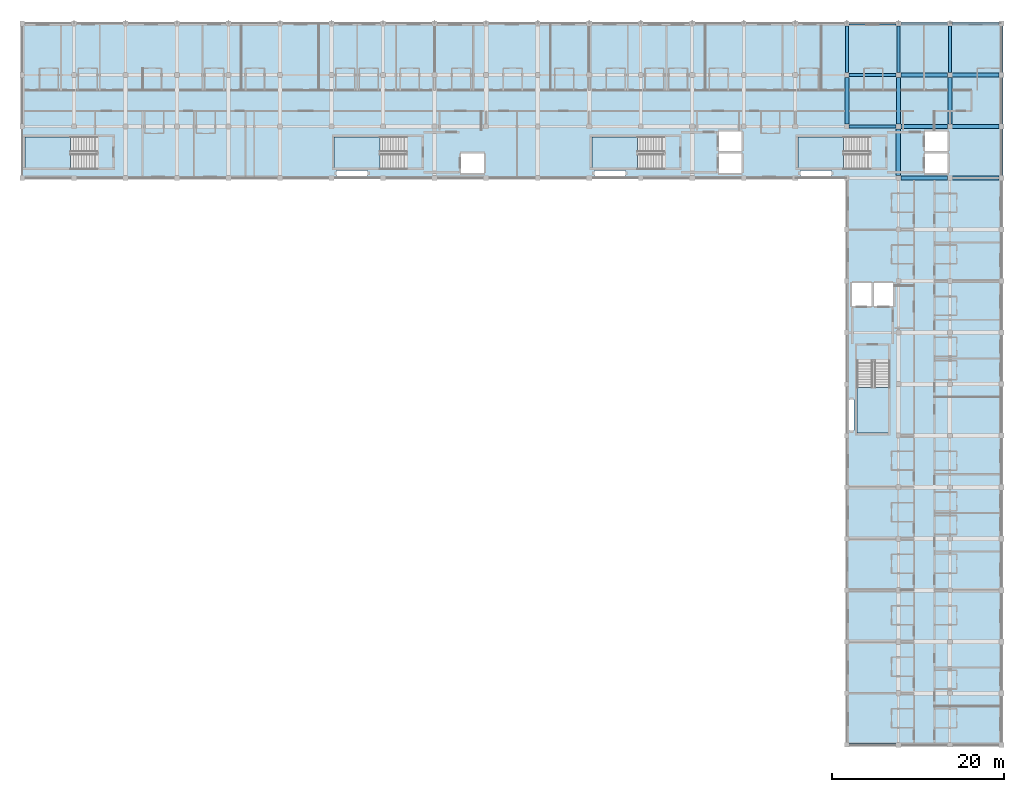
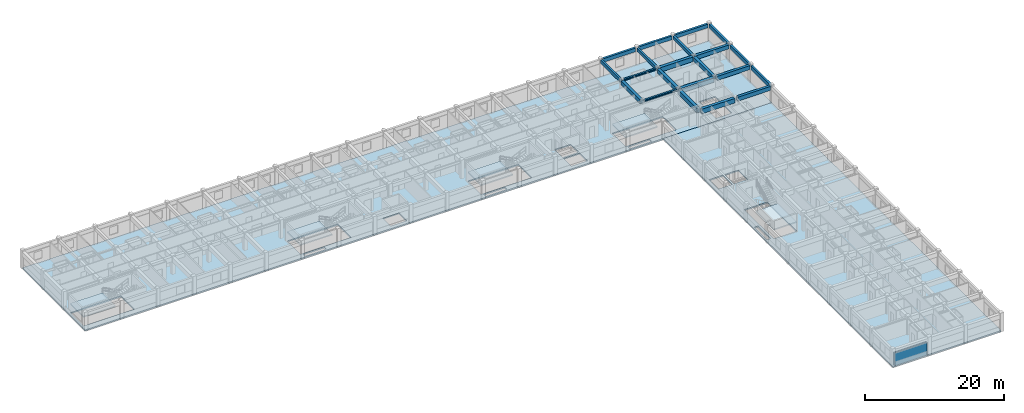
# One storey, part 3 of 22: 21 beams, 7 slabs, 1 wall, 5 elements without a shape of their own.
"""IFC4 building model written with IfcOpenShell, lengths in metres."""

from ifc_helpers import new_model, si_unit, direction, frame, frame_2d, origin, origin_2d, place, context, subcontext, project, spatial, polyline, rectangle, i_section, outline, extrude, material, layer, layer_set, material_profile, profile_set, type_object, element, aggregate, save


model = new_model("IFC4")

# Units and contexts
model_context = context("Model", 3, precision=1e-05, world=origin(), true_north=direction((0.0, 1.0)))
body_context = subcontext(model_context, "Body", "Model", "MODEL_VIEW")
ifc_project = project(units=[si_unit("LENGTHUNIT", "METRE"), si_unit("AREAUNIT", "SQUARE_METRE"), si_unit("VOLUMEUNIT", "CUBIC_METRE"), si_unit("PLANEANGLEUNIT", "RADIAN"), si_unit("MASSUNIT", "GRAM", prefix="KILO"), si_unit("THERMODYNAMICTEMPERATUREUNIT", "KELVIN"), si_unit("POWERUNIT", "WATT")], contexts=[model_context])

# Site, building, storey
site_placement = place(None, origin())
site = spatial("IfcSite", under=ifc_project, at=site_placement, CompositionType="ELEMENT")
building_placement = place(site_placement, origin())
building = spatial("IfcBuilding", under=site, at=building_placement, Name="Phaisarnlok Congress Hotel", CompositionType="ELEMENT")
storey_placement = place(building_placement, frame((0.0, 0.0, 28.199951171875)))
storey = spatial("IfcBuildingStorey", under=building, at=storey_placement, Name="L06", CompositionType="ELEMENT", Elevation=28.199951171875)

# Beams
ifc_material_1 = material(Name="Concrete C40/50", Category="concrete")
ifc_material_profile_1 = material_profile(ifc_material_1, rectangle(XDim=0.35009765625, YDim=0.550048828125, at=origin_2d()), Name="RC 350x550")
ifc_profile_set_1 = profile_set([ifc_material_profile_1], Name="Concrete C40/50")
beam_type_1 = type_object("IfcBeamType", Name="BM-RC-350x550", PredefinedType="BEAM", material=ifc_profile_set_1)
beam_1_placement = place(storey_placement, frame((162.0, 120.27001953125, 2.804931640625), z_axis=(0.0, 1.0, 0.0), x_axis=(-1.0, 0.0, 0.0)))
element("IfcBeam", 1, at=beam_1_placement, inside=storey, type_object=beam_type_1, Name="Beam B-01", PredefinedType="BEAM", context=body_context, shape_type="SweptSolid", body=[
    extrude(rectangle(XDim=0.35009765625, YDim=0.550048828125, at=origin_2d()), origin(), (0.0, 0.0, 1.0), 5.4599609375),
])
beam_2_placement = place(storey_placement, frame((168.0, 120.294921875, 2.804931640625), z_axis=(0.0, 1.0, 0.0), x_axis=(-1.0, 0.0, 0.0)))
element("IfcBeam", 2, at=beam_2_placement, inside=storey, type_object=beam_type_1, Name="Beam B-01", PredefinedType="BEAM", context=body_context, shape_type="SweptSolid", body=[
    extrude(rectangle(XDim=0.35009765625, YDim=0.550048828125, at=origin_2d()), origin(), (0.0, 0.0, 1.0), 5.41015625),
])
beam_3_placement = place(storey_placement, frame((174.0, 120.27001953125, 2.804931640625), z_axis=(0.0, 1.0, 0.0), x_axis=(-1.0, 0.0, 0.0)))
element("IfcBeam", 3, at=beam_3_placement, inside=storey, type_object=beam_type_1, Name="Beam B-01", PredefinedType="BEAM", context=body_context, shape_type="SweptSolid", body=[
    extrude(rectangle(XDim=0.35009765625, YDim=0.550048828125, at=origin_2d()), origin(), (0.0, 0.0, 1.0), 5.4599609375),
])
ifc_material_profile_2 = material_profile(ifc_material_1, rectangle(XDim=0.449951171875, YDim=0.699951171875, at=origin_2d()), Name="RC 450x700")
ifc_profile_set_2 = profile_set([ifc_material_profile_2], Name="Concrete C40/50")
beam_type_2 = type_object("IfcBeamType", Name="BM-RC-450x700", PredefinedType="BEAM", material=ifc_profile_set_2)
beam_4_placement = place(storey_placement, frame((162.0, 114.27001953125, 2.72998046875), z_axis=(0.0, 1.0, 0.0), x_axis=(-1.0, 0.0, 0.0)))
element("IfcBeam", 4, at=beam_4_placement, inside=storey, type_object=beam_type_2, Name="Beam B-03", PredefinedType="BEAM", context=body_context, shape_type="SweptSolid", body=[
    extrude(rectangle(XDim=0.449951171875, YDim=0.699951171875, at=origin_2d()), origin(), (0.0, 0.0, 1.0), 5.4599609375),
])
beam_5_placement = place(storey_placement, frame((168.0, 114.294921875, 2.72998046875), z_axis=(0.0, 1.0, 0.0), x_axis=(-1.0, 0.0, 0.0)))
element("IfcBeam", 5, at=beam_5_placement, inside=storey, type_object=beam_type_2, Name="Beam B-03", PredefinedType="BEAM", context=body_context, shape_type="SweptSolid", body=[
    extrude(rectangle(XDim=0.449951171875, YDim=0.699951171875, at=origin_2d()), origin(), (0.0, 0.0, 1.0), 5.41015625),
])
for number, where, z_axis, x_axis, name in (
    (6, (174.27001953125, 108.0, 2.72998046875), (1.0, 0.0, 0.0), (0.0, 1.0, 0.0), "Beam B-03"),
    (7, (174.27001953125, 114.0, 2.72998046875), (1.0, 0.0, 0.0), (0.0, 1.0, 0.0), "Beam B-03"),
):
    element("IfcBeam", number, at=place(storey_placement, frame(where, z_axis=z_axis, x_axis=x_axis)), inside=storey, type_object=beam_type_2, Name=name, PredefinedType="BEAM", context=body_context, shape_type="SweptSolid", body=[
        extrude(rectangle(XDim=0.449951171875, YDim=0.699951171875, at=origin_2d()), origin(), (0.0, 0.0, 1.0), 5.43505859375),
    ])
beam_6_placement = place(storey_placement, frame((174.0, 114.27001953125, 2.72998046875), z_axis=(0.0, 1.0, 0.0), x_axis=(-1.0, 0.0, 0.0)))
element("IfcBeam", 8, at=beam_6_placement, inside=storey, type_object=beam_type_2, Name="Beam B-03", PredefinedType="BEAM", context=body_context, shape_type="SweptSolid", body=[
    extrude(rectangle(XDim=0.449951171875, YDim=0.699951171875, at=origin_2d()), origin(), (0.0, 0.0, 1.0), 5.4599609375),
])
beam_7_placement = place(storey_placement, frame((174.27001953125, 120.0, 2.72998046875), z_axis=(1.0, 0.0, 0.0), x_axis=(0.0, 1.0, 0.0)))
element("IfcBeam", 9, at=beam_7_placement, inside=storey, type_object=beam_type_2, Name="Beam B-03", PredefinedType="BEAM", context=body_context, shape_type="SweptSolid", body=[
    extrude(rectangle(XDim=0.449951171875, YDim=0.699951171875, at=origin_2d()), origin(), (0.0, 0.0, 1.0), 5.43505859375),
])
ifc_material_profile_3 = material_profile(ifc_material_1, rectangle(XDim=0.5, YDim=0.800048828125, at=origin_2d()), Name="RC 500x800")
ifc_profile_set_3 = profile_set([ifc_material_profile_3], Name="Concrete C40/50")
beam_type_3 = type_object("IfcBeamType", Name="BM-RC-500x800", PredefinedType="BEAM", material=ifc_profile_set_3)
beam_8_placement = place(storey_placement, frame((168.294921875, 108.0, 2.679931640625), z_axis=(1.0, 0.0, 0.0), x_axis=(0.0, 1.0, 0.0)))
element("IfcBeam", 10, at=beam_8_placement, inside=storey, type_object=beam_type_3, Name="Beam B-04", PredefinedType="BEAM", context=body_context, shape_type="SweptSolid", body=[
    extrude(rectangle(XDim=0.5, YDim=0.800048828125, at=origin_2d()), origin(), (0.0, 0.0, 1.0), 5.43505859375),
])
beam_9_placement = place(storey_placement, frame((168.0, 108.294921875, 2.679931640625), z_axis=(0.0, 1.0, 0.0), x_axis=(-1.0, 0.0, 0.0)))
element("IfcBeam", 11, at=beam_9_placement, inside=storey, type_object=beam_type_3, Name="Beam B-04", PredefinedType="BEAM", context=body_context, shape_type="SweptSolid", body=[
    extrude(rectangle(XDim=0.5, YDim=0.800048828125, at=origin_2d()), origin(), (0.0, 0.0, 1.0), 5.41015625),
])
for number, where, z_axis, x_axis, name in (
    (12, (168.294921875, 114.0, 2.679931640625), (1.0, 0.0, 0.0), (0.0, 1.0, 0.0), "Beam B-04"),
    (13, (168.294921875, 120.0, 2.679931640625), (1.0, 0.0, 0.0), (0.0, 1.0, 0.0), "Beam B-04"),
):
    element("IfcBeam", number, at=place(storey_placement, frame(where, z_axis=z_axis, x_axis=x_axis)), inside=storey, type_object=beam_type_3, Name=name, PredefinedType="BEAM", context=body_context, shape_type="SweptSolid", body=[
        extrude(rectangle(XDim=0.5, YDim=0.800048828125, at=origin_2d()), origin(), (0.0, 0.0, 1.0), 5.43505859375),
    ])
ifc_material_2 = material(Name="Steel S355", Category="steel")
ifc_material_profile_4 = material_profile(ifc_material_2, i_section(OverallWidth=0.300048828125, OverallDepth=0.2900390625, WebThickness=0.008544921875, FlangeThickness=0.013916015625, FilletRadius=0.027099609375, at=origin_2d()), Name="HEA 300")
ifc_profile_set_4 = profile_set([ifc_material_profile_4], Name="Steel S355")
beam_type_4 = type_object("IfcBeamType", Name="BM-STL-HEA300", PredefinedType="BEAM", material=ifc_profile_set_4)
for number, where, z_axis, x_axis, name in (
    (14, (162.27001953125, 114.0, 2.93505859375), (1.0, 0.0, 0.0), (0.0, 1.0, 0.0), "Beam SB-05"),
    (15, (162.27001953125, 120.0, 2.93505859375), (1.0, 0.0, 0.0), (0.0, 1.0, 0.0), "Beam SB-05"),
):
    element("IfcBeam", number, at=place(storey_placement, frame(where, z_axis=z_axis, x_axis=x_axis)), inside=storey, type_object=beam_type_4, Name=name, PredefinedType="BEAM", context=body_context, shape_type="SweptSolid", body=[
        extrude(i_section(OverallWidth=0.300048828125, OverallDepth=0.2900390625, WebThickness=0.008544921875, FlangeThickness=0.013916015625, FilletRadius=0.027099609375, at=origin_2d()), origin(), (0.0, 0.0, 1.0), 5.43505859375),
    ])
ifc_material_profile_5 = material_profile(ifc_material_1, rectangle(XDim=0.35009765625, YDim=0.64990234375, at=origin_2d()), Name="RC 350x650")
ifc_profile_set_5 = profile_set([ifc_material_profile_5], Name="Concrete C40/50")
beam_type_5 = type_object("IfcBeamType", Name="SP-RC-350x650", PredefinedType="SPANDREL", material=ifc_profile_set_5)
for number, where, z_axis, x_axis, name in (
    (16, (162.27001953125, 126.0, 2.755126953125), (1.0, 0.0, 0.0), (0.0, 1.0, 0.0), "Beam SP-01"),
    (17, (168.294921875, 126.0, 2.755126953125), (1.0, 0.0, 0.0), (0.0, 1.0, 0.0), "Beam SP-01"),
    (18, (174.27001953125, 126.0, 2.755126953125), (1.0, 0.0, 0.0), (0.0, 1.0, 0.0), "Beam SP-01"),
):
    element("IfcBeam", number, at=place(storey_placement, frame(where, z_axis=z_axis, x_axis=x_axis)), inside=storey, type_object=beam_type_5, Name=name, PredefinedType="SPANDREL", context=body_context, shape_type="SweptSolid", body=[
        extrude(rectangle(XDim=0.35009765625, YDim=0.64990234375, at=origin_2d()), origin(), (0.0, 0.0, 1.0), 5.43505859375),
    ])
for number, where, z_axis, x_axis, name in (
    (19, (180.0, 108.294921875, 2.755126953125), (0.0, 1.0, 0.0), (-1.0, 0.0, 0.0), "Beam SP-01"),
    (20, (180.0, 114.294921875, 2.755126953125), (0.0, 1.0, 0.0), (-1.0, 0.0, 0.0), "Beam SP-01"),
    (21, (180.0, 120.294921875, 2.755126953125), (0.0, 1.0, 0.0), (-1.0, 0.0, 0.0), "Beam SP-01"),
):
    element("IfcBeam", number, at=place(storey_placement, frame(where, z_axis=z_axis, x_axis=x_axis)), inside=storey, type_object=beam_type_5, Name=name, PredefinedType="SPANDREL", context=body_context, shape_type="SweptSolid", body=[
        extrude(rectangle(XDim=0.35009765625, YDim=0.64990234375, at=origin_2d()), origin(), (0.0, 0.0, 1.0), 5.41015625),
    ])

# Slabs
ifc_layer_1 = layer(ifc_material_1, 0.219970703125, Name="Concrete C40/50")
ifc_layer_set_1 = layer_set([ifc_layer_1], Name="Concrete C40/50")
slab_type_1 = type_object("IfcSlabType", Name="SLB-INT-220", PredefinedType="FLOOR", material=ifc_layer_set_1)
slab_1_placement = place(storey_placement, frame((0.0, 0.0, -0.219970703125)))
element("IfcSlab", 22, at=slab_1_placement, inside=storey, type_object=slab_type_1, Name="Floor slab SL-INT-220 (L06 v5_n)", PredefinedType="FLOOR", context=body_context, shape_type="SweptSolid", body=[
    extrude(outline(polyline([(180.0, 108.0), (180.0, 126.0), (66.0, 126.0), (66.0, 108.0), (180.0, 108.0)]), holes=[polyline([(164.719970703125, 112.800048828125), (156.300048828125, 112.800048828125), (156.300048828125, 109.0), (164.719970703125, 109.0), (164.719970703125, 112.800048828125)]), polyline([(140.719970703125, 112.800048828125), (132.300048828125, 112.800048828125), (132.300048828125, 109.0), (140.719970703125, 109.0), (140.719970703125, 112.800048828125)]), polyline([(110.719970703125, 112.800048828125), (102.300048828125, 112.800048828125), (102.300048828125, 109.0), (110.719970703125, 109.0), (110.719970703125, 112.800048828125)]), polyline([(74.719970703125, 112.800048828125), (66.300048828125, 112.800048828125), (66.300048828125, 109.0), (74.719970703125, 109.0), (74.719970703125, 112.800048828125)]), polyline([(173.75, 108.60009765625), (173.75, 110.85009765625), (171.10009765625, 110.85009765625), (171.10009765625, 108.60009765625), (173.75, 108.60009765625)]), polyline([(173.75, 111.14990234375), (173.75, 113.39990234375), (171.10009765625, 113.39990234375), (171.10009765625, 111.14990234375), (173.75, 111.14990234375)]), polyline([(160.199951171875, 108.25), (160.199951171875, 108.85009765625), (156.60009765625, 108.85009765625), (156.60009765625, 108.25), (160.199951171875, 108.25)]), polyline([(149.75, 108.60009765625), (149.75, 110.85009765625), (147.10009765625, 110.85009765625), (147.10009765625, 108.60009765625), (149.75, 108.60009765625)]), polyline([(149.75, 111.14990234375), (149.75, 113.39990234375), (147.10009765625, 113.39990234375), (147.10009765625, 111.14990234375), (149.75, 111.14990234375)]), polyline([(136.199951171875, 108.25), (136.199951171875, 108.85009765625), (132.60009765625, 108.85009765625), (132.60009765625, 108.25), (136.199951171875, 108.25)]), polyline([(119.75, 108.60009765625), (119.75, 110.85009765625), (117.10009765625, 110.85009765625), (117.10009765625, 108.60009765625), (119.75, 108.60009765625)]), polyline([(106.199951171875, 108.25), (106.199951171875, 108.85009765625), (102.60009765625, 108.85009765625), (102.60009765625, 108.25), (106.199951171875, 108.25)])]), origin(), (0.0, 0.0, 1.0), 0.219970703125),
])
slab_2_placement = place(storey_placement, frame((0.0, 0.0, -0.219970703125)))
element("IfcSlab", 23, at=slab_2_placement, inside=storey, type_object=slab_type_1, Name="Floor slab SL-INT-220 (L06 v5_e)", PredefinedType="FLOOR", context=body_context, shape_type="SweptSolid", body=[
    extrude(outline(polyline([(180.0, 42.0), (180.0, 108.0), (162.0, 108.0), (162.0, 42.0), (180.0, 42.0)]), holes=[polyline([(163.199951171875, 86.719970703125), (163.199951171875, 78.300048828125), (167.0, 78.300048828125), (167.0, 86.719970703125), (163.199951171875, 86.719970703125)]), polyline([(164.85009765625, 93.10009765625), (164.85009765625, 95.75), (162.60009765625, 95.75), (162.60009765625, 93.10009765625), (164.85009765625, 93.10009765625)]), polyline([(167.39990234375, 93.10009765625), (167.39990234375, 95.75), (165.14990234375, 95.75), (165.14990234375, 93.10009765625), (167.39990234375, 93.10009765625)]), polyline([(162.85009765625, 78.60009765625), (162.85009765625, 82.199951171875), (162.25, 82.199951171875), (162.25, 78.60009765625), (162.85009765625, 78.60009765625)])]), origin(), (0.0, 0.0, 1.0), 0.219970703125),
])

# Stair, slab
stair_type = type_object("IfcStairType", Name="STR-DOG-05", PredefinedType="HALF_TURN_STAIR", material=ifc_material_1)
stair_1_placement = place(storey_placement, origin())
stair_1 = element("IfcStair", 24, at=stair_1_placement, inside=storey, type_object=stair_type, Name="L06 ST-05", PredefinedType="HALF_TURN_STAIR")
ifc_layer_2 = layer(ifc_material_1, 0.199951171875, Name="Concrete C40/50")
ifc_layer_set_2 = layer_set([ifc_layer_2], Name="Concrete C40/50")
slab_type_2 = type_object("IfcSlabType", Name="SLB-LND-200", PredefinedType="LANDING", material=ifc_layer_set_2)
slab_3_placement = place(storey_placement, frame((0.0, 0.0, 1.449951171875)))
slab_3 = element("IfcSlab", 25, at=slab_3_placement, type_object=slab_type_2, Name="ST-05 landing 1", PredefinedType="LANDING", context=body_context, shape_type="SweptSolid", body=[
    extrude(outline(polyline([(161.6201171875, 112.800048828125), (156.300048828125, 112.800048828125), (156.300048828125, 109.0), (161.6201171875, 109.0), (161.6201171875, 112.800048828125)])), origin(), (0.0, 0.0, 1.0), 0.2001953125),
])
aggregate(stair_1, [slab_3])

stair_2_placement = place(storey_placement, origin())
stair_2 = element("IfcStair", 26, at=stair_2_placement, inside=storey, type_object=stair_type, Name="L06 ST-06", PredefinedType="HALF_TURN_STAIR")
slab_4_placement = place(storey_placement, frame((0.0, 0.0, 1.449951171875)))
slab_4 = element("IfcSlab", 27, at=slab_4_placement, type_object=slab_type_2, Name="ST-06 landing 1", PredefinedType="LANDING", context=body_context, shape_type="SweptSolid", body=[
    extrude(outline(polyline([(137.6201171875, 112.800048828125), (132.300048828125, 112.800048828125), (132.300048828125, 109.0), (137.6201171875, 109.0), (137.6201171875, 112.800048828125)])), origin(), (0.0, 0.0, 1.0), 0.2001953125),
])
aggregate(stair_2, [slab_4])

stair_3_placement = place(storey_placement, origin())
stair_3 = element("IfcStair", 28, at=stair_3_placement, inside=storey, type_object=stair_type, Name="L06 ST-07", PredefinedType="HALF_TURN_STAIR")
slab_5_placement = place(storey_placement, frame((0.0, 0.0, 1.449951171875)))
slab_5 = element("IfcSlab", 29, at=slab_5_placement, type_object=slab_type_2, Name="ST-07 landing 1", PredefinedType="LANDING", context=body_context, shape_type="SweptSolid", body=[
    extrude(outline(polyline([(107.6201171875, 112.800048828125), (102.300048828125, 112.800048828125), (102.300048828125, 109.0), (107.6201171875, 109.0), (107.6201171875, 112.800048828125)])), origin(), (0.0, 0.0, 1.0), 0.2001953125),
])
aggregate(stair_3, [slab_5])

stair_4_placement = place(storey_placement, origin())
stair_4 = element("IfcStair", 30, at=stair_4_placement, inside=storey, type_object=stair_type, Name="L06 ST-09", PredefinedType="HALF_TURN_STAIR")
slab_6_placement = place(storey_placement, frame((0.0, 0.0, 1.449951171875)))
slab_6 = element("IfcSlab", 31, at=slab_6_placement, type_object=slab_type_2, Name="ST-09 landing 1", PredefinedType="LANDING", context=body_context, shape_type="SweptSolid", body=[
    extrude(outline(polyline([(163.199951171875, 83.6201171875), (163.199951171875, 78.300048828125), (167.0, 78.300048828125), (167.0, 83.6201171875), (163.199951171875, 83.6201171875)])), origin(), (0.0, 0.0, 1.0), 0.2001953125),
])
aggregate(stair_4, [slab_6])

stair_5_placement = place(storey_placement, origin())
stair_5 = element("IfcStair", 32, at=stair_5_placement, inside=storey, type_object=stair_type, Name="L06 ST-10", PredefinedType="HALF_TURN_STAIR")
slab_7_placement = place(storey_placement, frame((0.0, 0.0, 1.449951171875)))
slab_7 = element("IfcSlab", 33, at=slab_7_placement, type_object=slab_type_2, Name="ST-10 landing 1", PredefinedType="LANDING", context=body_context, shape_type="SweptSolid", body=[
    extrude(outline(polyline([(71.6201171875, 112.800048828125), (66.300048828125, 112.800048828125), (66.300048828125, 109.0), (71.6201171875, 109.0), (71.6201171875, 112.800048828125)])), origin(), (0.0, 0.0, 1.0), 0.2001953125),
])
aggregate(stair_5, [slab_7])

# Wall
ifc_layer_3 = layer(ifc_material_1, 0.2099609375, Name="Concrete C40/50")
ifc_layer_set_3 = layer_set([ifc_layer_3], Name="Concrete C40/50")
wall_type = type_object("IfcWallType", Name="WL-EXT-210", PredefinedType="SOLIDWALL", material=ifc_layer_set_3)
wall_placement = place(storey_placement, frame((162.280029296875, 42.10498046875, 0.0), z_axis=(0.0, 0.0, 1.0), x_axis=(1.0, 0.0, 0.0)))
element("IfcWall", 34, at=wall_placement, inside=storey, type_object=wall_type, Name="Exterior wall EW-07 (L06)", PredefinedType="SOLIDWALL", context=body_context, shape_type="SweptSolid", body=[
    extrude(rectangle(XDim=5.4150390625, YDim=0.2099609375, at=frame_2d((2.70751953125, 0.0))), origin(), (0.0, 0.0, 1.0), 2.280029296875),
])

save(model, "model.ifc")
